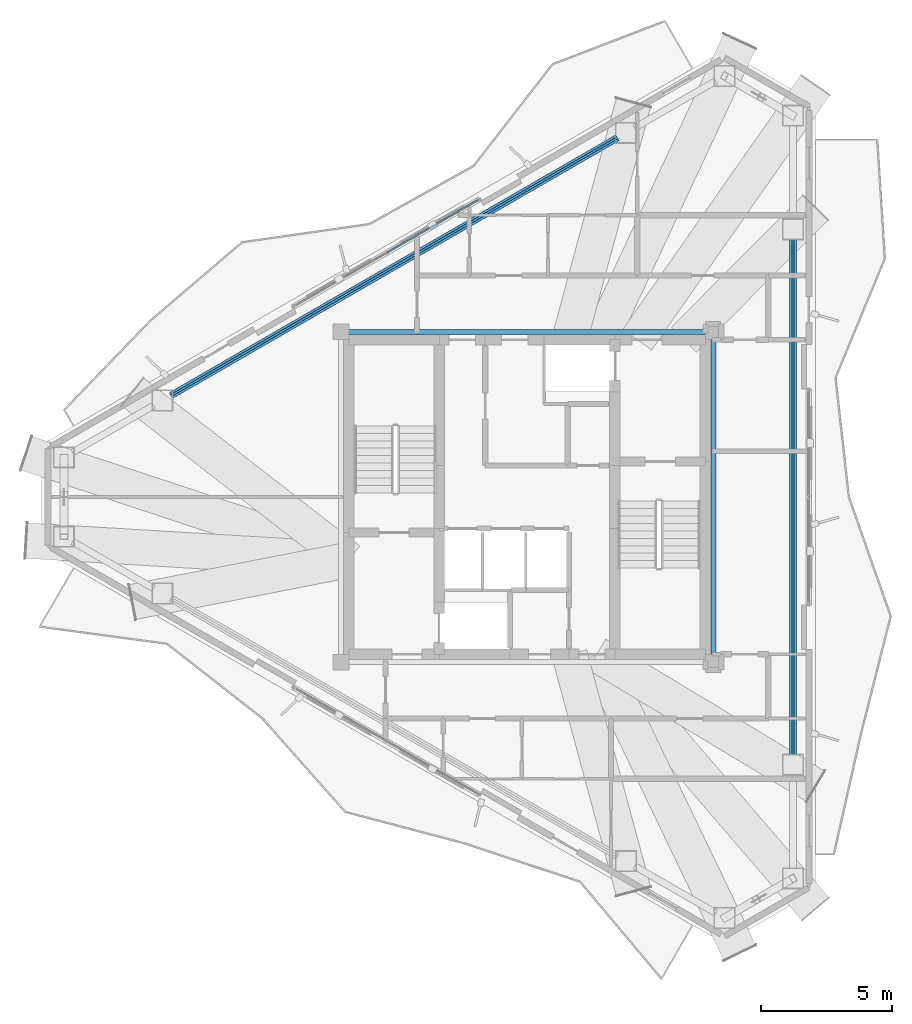
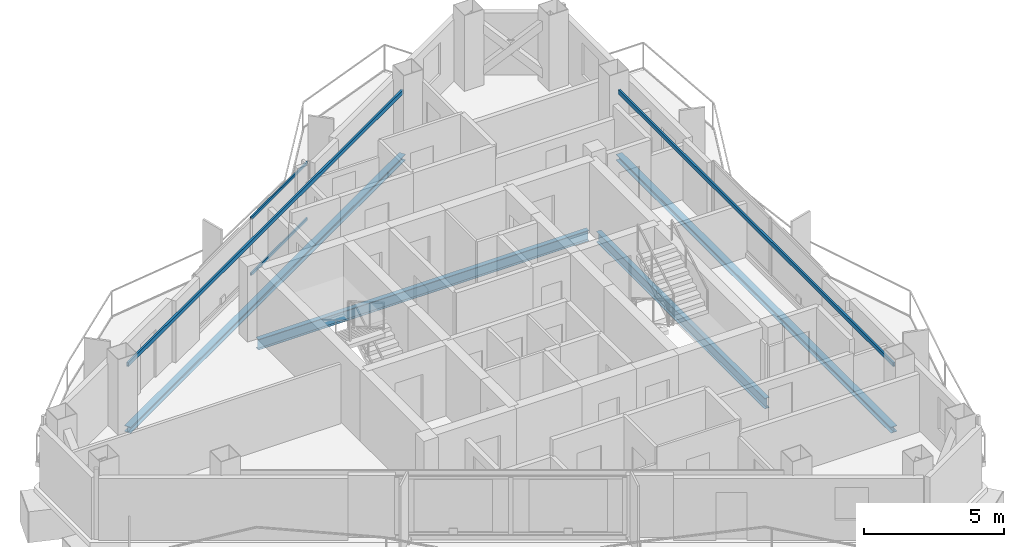
# One storey, part 9 of 17: 6 beams, 2 members, 1 element without a shape of its own.
"""IFC4 building model written with IfcOpenShell, lengths in metres."""

import ifcopenshell
import ifcopenshell.guid

model = None  # the IFC model being written
_history = None  # IfcOwnerHistory: only IFC2X3 demands one
_inside = {}  # id of a spatial element -> (the spatial element, [elements in it])
_under = {}  # id of a project, library or spatial element -> (it, [spatial elements below it])
_declared = {}  # id of a project -> (the project, [libraries it declares])
_typed = {}  # id of a type object -> (the type object, [elements of that type])
_made_of = {}  # id of a material, layer set ... -> (it, [elements and type objects made of it])


def new_model(schema):
    """Start an empty IFC model of exactly this schema.

    Asked for "IFC4X3", IfcOpenShell would pick the latest addendum, in which some entities
    have other attributes; the version numbers below select the first issue.
    IFC2X3 requires an IfcOwnerHistory on every rooted entity: one is made here for all.
    """
    global model, _history
    if schema == "IFC4X3":
        model = ifcopenshell.file(schema_version=(4, 3, 0, 0))
    else:
        model = ifcopenshell.file(schema=schema)
    _inside.clear()
    _under.clear()
    _declared.clear()
    _typed.clear()
    _made_of.clear()
    _history = None
    if model.schema == "IFC2X3":
        org = make("IfcOrganization", Name="unknown")
        user = make(
            "IfcPersonAndOrganization",
            ThePerson=make("IfcPerson", FamilyName="unknown"),
            TheOrganization=org,
        )
        app = make(
            "IfcApplication",
            ApplicationDeveloper=org,
            Version="unknown",
            ApplicationFullName="unknown",
            ApplicationIdentifier="unknown",
        )
        _history = make(
            "IfcOwnerHistory",
            OwningUser=user,
            OwningApplication=app,
            ChangeAction="ADDED",
            CreationDate=0,
        )
    return model


def make(cls, **values):
    """One entity of the class cls with the attributes given. An attribute that is None is left unset."""
    return model.create_entity(
        cls, **{name: value for name, value in values.items() if value is not None}
    )


def rooted(cls, **values):
    """An entity with a GlobalId (a new one), such as an element, a storey or a relation."""
    return make(cls, GlobalId=ifcopenshell.guid.new(), OwnerHistory=_history, **values)


def si_unit(unit_type, name, prefix=None):
    """IfcSIUnit, for example si_unit("LENGTHUNIT", "METRE", prefix="MILLI")."""
    return make("IfcSIUnit", UnitType=unit_type, Prefix=prefix, Name=name)


def assignment(units):
    """IfcUnitAssignment: the units of a project."""
    return None if units is None else make("IfcUnitAssignment", Units=units)


def point(xyz):
    """IfcCartesianPoint."""
    return None if xyz is None else make("IfcCartesianPoint", Coordinates=xyz)


def direction(xyz):
    """IfcDirection."""
    return None if xyz is None else make("IfcDirection", DirectionRatios=xyz)


def frame(location, z_axis=None, x_axis=None):
    """IfcAxis2Placement3D, a coordinate frame: its origin and axes. An axis left out is left unset."""
    return make(
        "IfcAxis2Placement3D",
        Location=point(location),
        Axis=direction(z_axis),
        RefDirection=direction(x_axis),
    )


def frame_2d(location, x_axis=None):
    """IfcAxis2Placement2D, a coordinate frame in the plane: its origin and x axis."""
    return make(
        "IfcAxis2Placement2D", Location=point(location), RefDirection=direction(x_axis)
    )


def origin():
    """The frame at (0, 0, 0) with its axes left unset."""
    return frame((0.0, 0.0, 0.0))


def origin_2d():
    """The frame at (0, 0) in the plane with its x axis left unset."""
    return frame_2d((0.0, 0.0))


def place(relative_to, where):
    """IfcLocalPlacement: puts the frame where relative to a parent placement (None: the world)."""
    return make(
        "IfcLocalPlacement", PlacementRelTo=relative_to, RelativePlacement=where
    )


def context(
    kind, dimensions, precision=None, world=None, true_north=None, identifier=None
):
    """IfcGeometricRepresentationContext, for example the 3D "Model" context."""
    return make(
        "IfcGeometricRepresentationContext",
        ContextIdentifier=identifier,
        ContextType=kind,
        CoordinateSpaceDimension=dimensions,
        Precision=precision,
        WorldCoordinateSystem=world,
        TrueNorth=true_north,
    )


def subcontext(parent, identifier, kind, view, scale=None):
    """IfcGeometricRepresentationSubContext, for example "Body" below "Model"."""
    return make(
        "IfcGeometricRepresentationSubContext",
        ContextIdentifier=identifier,
        ContextType=kind,
        ParentContext=parent,
        TargetScale=scale,
        TargetView=view,
    )


def project(units=None, contexts=None):
    """IfcProject with its units and contexts."""
    return rooted(
        "IfcProject",
        Name="project",
        RepresentationContexts=contexts,
        UnitsInContext=assignment(units),
    )


def spatial(cls, under=None, at=None, **own):
    """A site, building, storey or space (cls), placed at a placement, below another one or the project."""
    s = rooted(cls, ObjectPlacement=at, **own)
    if under is not None:
        _under.setdefault(under.id(), (under, []))[1].append(s)
    return s


def profile(cls, at=None, kind="AREA", **sizes):
    """A parametric profile (cls). Its sizes go by their IFC names, for example OverallWidth=200.0."""
    return make(cls, ProfileType=kind, Position=at, **sizes)


def hollow_rectangle(**sizes):
    """IfcRectangleHollowProfileDef."""
    return profile("IfcRectangleHollowProfileDef", **sizes)


def i_section(**sizes):
    """IfcIShapeProfileDef."""
    return profile("IfcIShapeProfileDef", **sizes)


def extrude(swept, where, along, depth):
    """IfcExtrudedAreaSolid: the profile swept, set in the frame where, extruded along a direction by depth."""
    return make(
        "IfcExtrudedAreaSolid",
        SweptArea=swept,
        Position=where,
        ExtrudedDirection=direction(along),
        Depth=depth,
    )


def shape(context_of_items, identifier, shape_type, items):
    """IfcShapeRepresentation: the items that make up one representation, for example the "Body"."""
    return make(
        "IfcShapeRepresentation",
        ContextOfItems=context_of_items,
        RepresentationIdentifier=identifier,
        RepresentationType=shape_type,
        Items=items,
    )


def material(Name=None, Category=None):
    """IfcMaterial."""
    return make("IfcMaterial", Name=Name, Category=Category)


def layer(
    of_material, thickness, ventilated=None, Name=None, Category=None, Priority=None
):
    """IfcMaterialLayer: one layer of a wall or slab, of a material (None: an air gap)."""
    return make(
        "IfcMaterialLayer",
        Material=of_material,
        LayerThickness=thickness,
        IsVentilated=ventilated,
        Name=Name,
        Category=Category,
        Priority=Priority,
    )


def layer_set(layers, Name=None):
    """IfcMaterialLayerSet."""
    return make("IfcMaterialLayerSet", MaterialLayers=layers, LayerSetName=Name)


def material_profile(
    of_material, cross_section, Name=None, Category=None, Priority=None
):
    """IfcMaterialProfile: a cross section and its material."""
    return make(
        "IfcMaterialProfile",
        Name=Name,
        Material=of_material,
        Profile=cross_section,
        Priority=Priority,
        Category=Category,
    )


def profile_set(profiles, Name=None, composite=None):
    """IfcMaterialProfileSet."""
    return make(
        "IfcMaterialProfileSet",
        Name=Name,
        MaterialProfiles=profiles,
        CompositeProfile=composite,
    )


def made_of(thing, what):
    """Note that an element or type object is made of a material, layer set ...; save() writes the relation."""
    if what is not None:
        _made_of.setdefault(what.id(), (what, []))[1].append(thing)
    return thing


def type_object(cls, material=None, **own):
    """A type object (cls), such as IfcWallType, which elements share."""
    return made_of(rooted(cls, **own), material)


def element(
    cls,
    number,
    at=None,
    inside=None,
    cuts=None,
    type_object=None,
    material=None,
    context=None,
    identifier="Body",
    shape_type=None,
    held_by="IfcProductDefinitionShape",
    body=None,
    shapes=None,
    **own,
):
    """One element of the class cls, such as IfcWall. Its Tag is "e" and its number.

    at: its placement. inside: the storey or other place that contains it. cuts: it is an
    opening in that element (IfcRelVoidsElement). A single representation is given by context,
    identifier, shape_type and body (its items); several are given by shapes. held_by: the class
    of the entity that holds the representations. save() writes the other relations.
    """
    e = rooted(cls, Tag="e%d" % number, ObjectPlacement=at, **own)
    if body is not None:
        shapes = [shape(context, identifier, shape_type, body)]
    if shapes is not None:
        e.Representation = make(held_by, Representations=shapes)
    if inside is not None:
        _inside.setdefault(inside.id(), (inside, []))[1].append(e)
    if cuts is not None:
        rooted(
            "IfcRelVoidsElement", RelatingBuildingElement=cuts, RelatedOpeningElement=e
        )
    if type_object is not None:
        _typed.setdefault(type_object.id(), (type_object, []))[1].append(e)
    return made_of(e, material)


def aggregate(whole, parts):
    """IfcRelAggregates: a whole, such as a stair, and the parts it consists of."""
    return rooted("IfcRelAggregates", RelatingObject=whole, RelatedObjects=parts)


def save(model, path):
    """Write the relations noted so far, then the file.

    IfcRelAggregates (storeys below a building ...), IfcRelContainedInSpatialStructure (elements
    in a storey), IfcRelDefinesByType, IfcRelAssociatesMaterial and IfcRelDeclares: one each for
    every whole, place, type object, material and project.
    """
    for whole, parts in _under.values():
        aggregate(whole, parts)
    for where, things in _inside.values():
        rooted(
            "IfcRelContainedInSpatialStructure",
            RelatedElements=things,
            RelatingStructure=where,
        )
    for kind, things in _typed.values():
        rooted("IfcRelDefinesByType", RelatedObjects=things, RelatingType=kind)
    for what, things in _made_of.values():
        rooted("IfcRelAssociatesMaterial", RelatedObjects=things, RelatingMaterial=what)
    for by, libraries in _declared.values():
        rooted("IfcRelDeclares", RelatingContext=by, RelatedDefinitions=libraries)
    model.write(path)


model = new_model("IFC4")

# Units and contexts
model_context = context("Model", 3, precision=1e-05, world=origin(), true_north=direction((0.0, 1.0)))
body_context = subcontext(model_context, "Body", "Model", "MODEL_VIEW")
ifc_project = project(units=[si_unit("LENGTHUNIT", "METRE"), si_unit("AREAUNIT", "SQUARE_METRE"), si_unit("VOLUMEUNIT", "CUBIC_METRE"), si_unit("PLANEANGLEUNIT", "RADIAN"), si_unit("MASSUNIT", "GRAM", prefix="KILO")], contexts=[model_context])

# Site, building, storey
site_placement = place(None, origin())
site = spatial("IfcSite", under=ifc_project, at=site_placement, CompositionType="ELEMENT")
building_placement = place(site_placement, origin())
building = spatial("IfcBuilding", under=site, at=building_placement, Name="Mersakhor Tower and Convention Hall", CompositionType="ELEMENT")
storey_placement = place(building_placement, frame((0.0, 0.0, 223.199951171875)))
storey = spatial("IfcBuildingStorey", under=building, at=storey_placement, Name="L62", CompositionType="ELEMENT", Elevation=223.199951171875)

# Beams
ifc_material_1 = material(Name="Steel S355", Category="steel")
ifc_material_profile_1 = material_profile(ifc_material_1, i_section(OverallWidth=0.19140625, OverallDepth=0.4599609375, WebThickness=0.010009765625, FlangeThickness=0.01611328125, at=origin_2d()), Name="UB 457x191x82")
ifc_profile_set_1 = profile_set([ifc_material_profile_1], Name="Steel S355")
beam_type_1 = type_object("IfcBeamType", Name="BM-FB-457", PredefinedType="BEAM", material=ifc_profile_set_1)
beam_1_placement = place(storey_placement, frame((22.179931640625, 33.050048828125, -0.449951171875), z_axis=(1.0, 0.0, 0.0), x_axis=(0.0, 1.0, 0.0)))
element("IfcBeam", 1, at=beam_1_placement, inside=storey, type_object=beam_type_1, Name="L62 Core Ring Tie Beam CRB-2", PredefinedType="BEAM", context=body_context, shape_type="SweptSolid", body=[
    extrude(i_section(OverallWidth=0.19140625, OverallDepth=0.4599609375, WebThickness=0.010009765625, FlangeThickness=0.01611328125, at=origin_2d()), origin(), (0.0, 0.0, 1.0), 13.64013671875),
])
beam_2_placement = place(storey_placement, frame((36.10009765625, 32.77001953125, -0.449951171875), z_axis=(0.0, -1.0, 0.0), x_axis=(1.0, 0.0, 0.0)))
element("IfcBeam", 2, at=beam_2_placement, inside=storey, type_object=beam_type_1, Name="L62 Core Ring Tie Beam CRB-3", PredefinedType="BEAM", context=body_context, shape_type="SweptSolid", body=[
    extrude(i_section(OverallWidth=0.19140625, OverallDepth=0.4599609375, WebThickness=0.010009765625, FlangeThickness=0.01611328125, at=origin_2d()), origin(), (0.0, 0.0, 1.0), 12.0400390625),
])
ifc_material_2 = material(Name="Steel S355", Category="steel")
ifc_material_profile_2 = material_profile(ifc_material_2, hollow_rectangle(XDim=0.080078125, YDim=0.179931640625, WallThickness=0.008056640625, at=origin_2d()), Name="RHS 180x80x8")
ifc_profile_set_2 = profile_set([ifc_material_profile_2], Name="Steel S355")
beam_type_2 = type_object("IfcBeamType", Name="BM-GRT-RHS180", PredefinedType="USERDEFINED", material=ifc_profile_set_2)
beam_3_placement = place(storey_placement, frame((15.414794921875, 30.618408203125, 2.47998046875), z_axis=(0.866021610626, 0.500006569886, 0.0), x_axis=(-0.500006569886, 0.866021610626, 0.0)))
element("IfcBeam", 3, at=beam_3_placement, inside=storey, type_object=beam_type_2, Name="L62 Facade Support Girt GRT-F1", ObjectType="GIRT", PredefinedType="USERDEFINED", context=body_context, shape_type="SweptSolid", body=[
    extrude(hollow_rectangle(XDim=0.080078125, YDim=0.179931640625, WallThickness=0.008056640625, at=origin_2d()), origin(), (0.0, 0.0, 1.0), 19.661865234375),
])
beam_4_placement = place(storey_placement, frame((39.142822265625, 36.580810546875, 2.47998046875), z_axis=(0.0, -1.0, 0.0), x_axis=(1.0, 0.0, 0.0)))
element("IfcBeam", 4, at=beam_4_placement, inside=storey, type_object=beam_type_2, Name="L62 Facade Support Girt GRT-F2", ObjectType="GIRT", PredefinedType="USERDEFINED", context=body_context, shape_type="SweptSolid", body=[
    extrude(hollow_rectangle(XDim=0.080078125, YDim=0.179931640625, WallThickness=0.008056640625, at=origin_2d()), origin(), (0.0, 0.0, 1.0), 19.66162109375),
])
ifc_material_3 = material(Name="Steel S355", Category="steel")
ifc_material_profile_3 = material_profile(ifc_material_3, i_section(OverallWidth=0.25634765625, OverallDepth=0.26025390625, WebThickness=0.01025390625, FlangeThickness=0.017333984375, at=origin_2d()), Name="UC 254x254x89")
ifc_profile_set_3 = profile_set([ifc_material_profile_3], Name="Steel S355")
beam_type_3 = type_object("IfcBeamType", Name="BM-SPD-UC254", PredefinedType="SPANDREL", material=ifc_profile_set_3)
beam_5_placement = place(storey_placement, frame((15.414794921875, 30.618408203125, -0.35009765625), z_axis=(0.866021610626, 0.500006569886, 0.0), x_axis=(-0.500006569886, 0.866021610626, 0.0)))
element("IfcBeam", 5, at=beam_5_placement, inside=storey, type_object=beam_type_3, Name="L62 Perimeter Spandrel Beam SPB-02", PredefinedType="SPANDREL", context=body_context, shape_type="SweptSolid", body=[
    extrude(i_section(OverallWidth=0.25634765625, OverallDepth=0.26025390625, WebThickness=0.01025390625, FlangeThickness=0.017333984375, at=origin_2d()), origin(), (0.0, 0.0, 1.0), 19.661865234375),
])
beam_6_placement = place(storey_placement, frame((39.142822265625, 36.580810546875, -0.35009765625), z_axis=(0.0, -1.0, 0.0), x_axis=(1.0, 0.0, 0.0)))
element("IfcBeam", 6, at=beam_6_placement, inside=storey, type_object=beam_type_3, Name="L62 Perimeter Spandrel Beam SPB-06", PredefinedType="SPANDREL", context=body_context, shape_type="SweptSolid", body=[
    extrude(i_section(OverallWidth=0.25634765625, OverallDepth=0.26025390625, WebThickness=0.01025390625, FlangeThickness=0.017333984375, at=origin_2d()), origin(), (0.0, 0.0, 1.0), 19.66162109375),
])

# Curtain wall, members
ifc_material_4 = material(Name="Dark solar low-E aluminium curtain wall", Category="aluminium")
ifc_layer = layer(ifc_material_4, 0.179931640625)
ifc_layer_set = layer_set([ifc_layer], Name="Dark solar low-E aluminium curtain wall")
curtain_wall_type = type_object("IfcCurtainWallType", Name="CW-SYS-03", PredefinedType="USERDEFINED", material=ifc_layer_set)
curtain_wall_placement = place(storey_placement, origin())
curtain_wall = element("IfcCurtainWall", 7, at=curtain_wall_placement, inside=storey, type_object=curtain_wall_type, Name="L62 Dark-Glass Curtain Wall F1-B2", ObjectType="CURTAIN WALL", PredefinedType="USERDEFINED")
ifc_material_5 = material(Name="Anodised aluminium EN AW-6063 T6", Category="aluminium")
ifc_material_profile_4 = material_profile(ifc_material_5, hollow_rectangle(XDim=0.06005859375, YDim=0.1201171875, WallThickness=0.0048828125, at=origin_2d()), Name="RHS 120x60x5")
ifc_profile_set_4 = profile_set([ifc_material_profile_4], Name="Anodised aluminium EN AW-6063 T6")
member_type = type_object("IfcMemberType", Name="CWT-120x60", PredefinedType="USERDEFINED", material=ifc_profile_set_4)
member_1_placement = place(storey_placement, frame((23.6611328125, 36.072265625, 0.22998046875), z_axis=(0.866023018642, 0.500004131166, 0.0), x_axis=(-0.500004131166, 0.866023018642, 0.0)))
member_1 = element("IfcMember", 8, at=member_1_placement, type_object=member_type, Name="CW-03 transom 2.1", ObjectType="TRANSOM", PredefinedType="USERDEFINED", context=body_context, shape_type="SweptSolid", body=[
    extrude(hollow_rectangle(XDim=0.06005859375, YDim=0.1201171875, WallThickness=0.0048828125, at=origin_2d()), origin(), (0.0, 0.0, 1.0), 4.00146484375),
])
member_2_placement = place(storey_placement, frame((23.6611328125, 36.072265625, 2.670166015625), z_axis=(0.866023018642, 0.500004131166, 0.0), x_axis=(-0.500004131166, 0.866023018642, 0.0)))
member_2 = element("IfcMember", 9, at=member_2_placement, type_object=member_type, Name="CW-03 transom 2.2", ObjectType="TRANSOM", PredefinedType="USERDEFINED", context=body_context, shape_type="SweptSolid", body=[
    extrude(hollow_rectangle(XDim=0.06005859375, YDim=0.1201171875, WallThickness=0.0048828125, at=origin_2d()), origin(), (0.0, 0.0, 1.0), 4.00146484375),
])
aggregate(curtain_wall, [member_1, member_2])

save(model, "model.ifc")
